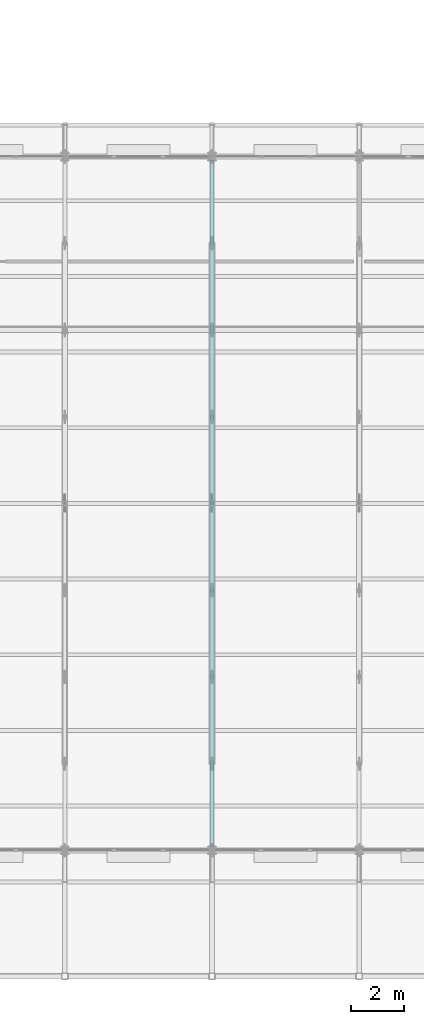
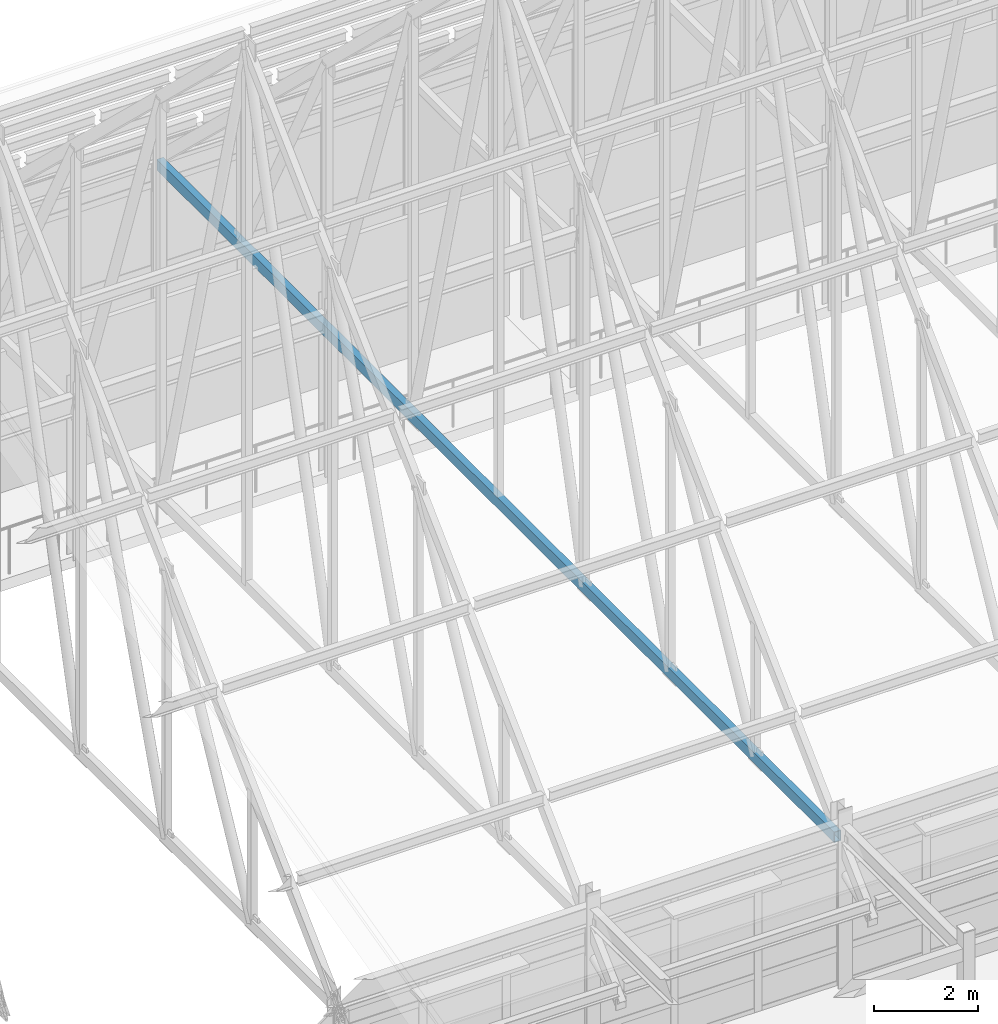
# One storey, part 35 of 144: 1 member.
"""IFC4 building model written with IfcOpenShell, lengths in metres."""

import ifcopenshell
import ifcopenshell.guid

model = None  # the IFC model being written
_history = None  # IfcOwnerHistory: only IFC2X3 demands one
_inside = {}  # id of a spatial element -> (the spatial element, [elements in it])
_under = {}  # id of a project, library or spatial element -> (it, [spatial elements below it])
_declared = {}  # id of a project -> (the project, [libraries it declares])
_typed = {}  # id of a type object -> (the type object, [elements of that type])
_made_of = {}  # id of a material, layer set ... -> (it, [elements and type objects made of it])


def new_model(schema):
    """Start an empty IFC model of exactly this schema.

    Asked for "IFC4X3", IfcOpenShell would pick the latest addendum, in which some entities
    have other attributes; the version numbers below select the first issue.
    IFC2X3 requires an IfcOwnerHistory on every rooted entity: one is made here for all.
    """
    global model, _history
    if schema == "IFC4X3":
        model = ifcopenshell.file(schema_version=(4, 3, 0, 0))
    else:
        model = ifcopenshell.file(schema=schema)
    _inside.clear()
    _under.clear()
    _declared.clear()
    _typed.clear()
    _made_of.clear()
    _history = None
    if model.schema == "IFC2X3":
        org = make("IfcOrganization", Name="unknown")
        user = make(
            "IfcPersonAndOrganization",
            ThePerson=make("IfcPerson", FamilyName="unknown"),
            TheOrganization=org,
        )
        app = make(
            "IfcApplication",
            ApplicationDeveloper=org,
            Version="unknown",
            ApplicationFullName="unknown",
            ApplicationIdentifier="unknown",
        )
        _history = make(
            "IfcOwnerHistory",
            OwningUser=user,
            OwningApplication=app,
            ChangeAction="ADDED",
            CreationDate=0,
        )
    return model


def make(cls, **values):
    """One entity of the class cls with the attributes given. An attribute that is None is left unset."""
    return model.create_entity(
        cls, **{name: value for name, value in values.items() if value is not None}
    )


def rooted(cls, **values):
    """An entity with a GlobalId (a new one), such as an element, a storey or a relation."""
    return make(cls, GlobalId=ifcopenshell.guid.new(), OwnerHistory=_history, **values)


def si_unit(unit_type, name, prefix=None):
    """IfcSIUnit, for example si_unit("LENGTHUNIT", "METRE", prefix="MILLI")."""
    return make("IfcSIUnit", UnitType=unit_type, Prefix=prefix, Name=name)


def assignment(units):
    """IfcUnitAssignment: the units of a project."""
    return None if units is None else make("IfcUnitAssignment", Units=units)


def point(xyz):
    """IfcCartesianPoint."""
    return None if xyz is None else make("IfcCartesianPoint", Coordinates=xyz)


def direction(xyz):
    """IfcDirection."""
    return None if xyz is None else make("IfcDirection", DirectionRatios=xyz)


def frame(location, z_axis=None, x_axis=None):
    """IfcAxis2Placement3D, a coordinate frame: its origin and axes. An axis left out is left unset."""
    return make(
        "IfcAxis2Placement3D",
        Location=point(location),
        Axis=direction(z_axis),
        RefDirection=direction(x_axis),
    )


def frame_2d(location, x_axis=None):
    """IfcAxis2Placement2D, a coordinate frame in the plane: its origin and x axis."""
    return make(
        "IfcAxis2Placement2D", Location=point(location), RefDirection=direction(x_axis)
    )


def origin():
    """The frame at (0, 0, 0) with its axes left unset."""
    return frame((0.0, 0.0, 0.0))


def origin_2d():
    """The frame at (0, 0) in the plane with its x axis left unset."""
    return frame_2d((0.0, 0.0))


def place(relative_to, where):
    """IfcLocalPlacement: puts the frame where relative to a parent placement (None: the world)."""
    return make(
        "IfcLocalPlacement", PlacementRelTo=relative_to, RelativePlacement=where
    )


def context(
    kind, dimensions, precision=None, world=None, true_north=None, identifier=None
):
    """IfcGeometricRepresentationContext, for example the 3D "Model" context."""
    return make(
        "IfcGeometricRepresentationContext",
        ContextIdentifier=identifier,
        ContextType=kind,
        CoordinateSpaceDimension=dimensions,
        Precision=precision,
        WorldCoordinateSystem=world,
        TrueNorth=true_north,
    )


def subcontext(parent, identifier, kind, view, scale=None):
    """IfcGeometricRepresentationSubContext, for example "Body" below "Model"."""
    return make(
        "IfcGeometricRepresentationSubContext",
        ContextIdentifier=identifier,
        ContextType=kind,
        ParentContext=parent,
        TargetScale=scale,
        TargetView=view,
    )


def project(units=None, contexts=None):
    """IfcProject with its units and contexts."""
    return rooted(
        "IfcProject",
        Name="project",
        RepresentationContexts=contexts,
        UnitsInContext=assignment(units),
    )


def spatial(cls, under=None, at=None, **own):
    """A site, building, storey or space (cls), placed at a placement, below another one or the project."""
    s = rooted(cls, ObjectPlacement=at, **own)
    if under is not None:
        _under.setdefault(under.id(), (under, []))[1].append(s)
    return s


def profile(cls, at=None, kind="AREA", **sizes):
    """A parametric profile (cls). Its sizes go by their IFC names, for example OverallWidth=200.0."""
    return make(cls, ProfileType=kind, Position=at, **sizes)


def hollow_rectangle(**sizes):
    """IfcRectangleHollowProfileDef."""
    return profile("IfcRectangleHollowProfileDef", **sizes)


def extrude(swept, where, along, depth):
    """IfcExtrudedAreaSolid: the profile swept, set in the frame where, extruded along a direction by depth."""
    return make(
        "IfcExtrudedAreaSolid",
        SweptArea=swept,
        Position=where,
        ExtrudedDirection=direction(along),
        Depth=depth,
    )


def shape(context_of_items, identifier, shape_type, items):
    """IfcShapeRepresentation: the items that make up one representation, for example the "Body"."""
    return make(
        "IfcShapeRepresentation",
        ContextOfItems=context_of_items,
        RepresentationIdentifier=identifier,
        RepresentationType=shape_type,
        Items=items,
    )


def material(Name=None, Category=None):
    """IfcMaterial."""
    return make("IfcMaterial", Name=Name, Category=Category)


def material_profile(
    of_material, cross_section, Name=None, Category=None, Priority=None
):
    """IfcMaterialProfile: a cross section and its material."""
    return make(
        "IfcMaterialProfile",
        Name=Name,
        Material=of_material,
        Profile=cross_section,
        Priority=Priority,
        Category=Category,
    )


def profile_set(profiles, Name=None, composite=None):
    """IfcMaterialProfileSet."""
    return make(
        "IfcMaterialProfileSet",
        Name=Name,
        MaterialProfiles=profiles,
        CompositeProfile=composite,
    )


def made_of(thing, what):
    """Note that an element or type object is made of a material, layer set ...; save() writes the relation."""
    if what is not None:
        _made_of.setdefault(what.id(), (what, []))[1].append(thing)
    return thing


def type_object(cls, material=None, **own):
    """A type object (cls), such as IfcWallType, which elements share."""
    return made_of(rooted(cls, **own), material)


def element(
    cls,
    number,
    at=None,
    inside=None,
    cuts=None,
    type_object=None,
    material=None,
    context=None,
    identifier="Body",
    shape_type=None,
    held_by="IfcProductDefinitionShape",
    body=None,
    shapes=None,
    **own,
):
    """One element of the class cls, such as IfcWall. Its Tag is "e" and its number.

    at: its placement. inside: the storey or other place that contains it. cuts: it is an
    opening in that element (IfcRelVoidsElement). A single representation is given by context,
    identifier, shape_type and body (its items); several are given by shapes. held_by: the class
    of the entity that holds the representations. save() writes the other relations.
    """
    e = rooted(cls, Tag="e%d" % number, ObjectPlacement=at, **own)
    if body is not None:
        shapes = [shape(context, identifier, shape_type, body)]
    if shapes is not None:
        e.Representation = make(held_by, Representations=shapes)
    if inside is not None:
        _inside.setdefault(inside.id(), (inside, []))[1].append(e)
    if cuts is not None:
        rooted(
            "IfcRelVoidsElement", RelatingBuildingElement=cuts, RelatedOpeningElement=e
        )
    if type_object is not None:
        _typed.setdefault(type_object.id(), (type_object, []))[1].append(e)
    return made_of(e, material)


def aggregate(whole, parts):
    """IfcRelAggregates: a whole, such as a stair, and the parts it consists of."""
    return rooted("IfcRelAggregates", RelatingObject=whole, RelatedObjects=parts)


def save(model, path):
    """Write the relations noted so far, then the file.

    IfcRelAggregates (storeys below a building ...), IfcRelContainedInSpatialStructure (elements
    in a storey), IfcRelDefinesByType, IfcRelAssociatesMaterial and IfcRelDeclares: one each for
    every whole, place, type object, material and project.
    """
    for whole, parts in _under.values():
        aggregate(whole, parts)
    for where, things in _inside.values():
        rooted(
            "IfcRelContainedInSpatialStructure",
            RelatedElements=things,
            RelatingStructure=where,
        )
    for kind, things in _typed.values():
        rooted("IfcRelDefinesByType", RelatedObjects=things, RelatingType=kind)
    for what, things in _made_of.values():
        rooted("IfcRelAssociatesMaterial", RelatedObjects=things, RelatingMaterial=what)
    for by, libraries in _declared.values():
        rooted("IfcRelDeclares", RelatingContext=by, RelatedDefinitions=libraries)
    model.write(path)


model = new_model("IFC4")

# Units and contexts
model_context = context("Model", 3, precision=1e-05, world=origin(), true_north=direction((0.0, 1.0)))
body_context = subcontext(model_context, "Body", "Model", "MODEL_VIEW")
ifc_project = project(units=[si_unit("LENGTHUNIT", "METRE"), si_unit("AREAUNIT", "SQUARE_METRE"), si_unit("VOLUMEUNIT", "CUBIC_METRE"), si_unit("PLANEANGLEUNIT", "RADIAN"), si_unit("MASSUNIT", "GRAM", prefix="KILO")], contexts=[model_context])

# Site, building, storey
site_placement = place(None, origin())
site = spatial("IfcSite", under=ifc_project, at=site_placement, CompositionType="ELEMENT")
building_placement = place(site_placement, origin())
building = spatial("IfcBuilding", under=site, at=building_placement, Name="Trelmorton Wharf Fire Station", CompositionType="ELEMENT")
storey_placement = place(building_placement, frame((0.0, 0.0, 5.39990234375)))
storey = spatial("IfcBuildingStorey", under=building, at=storey_placement, Name="L01", CompositionType="ELEMENT", Elevation=5.39990234375)

# Member
ifc_material = material(Name="Steel C350L0 (350 MPa)", Category="steel")
ifc_material_profile = material_profile(ifc_material, hollow_rectangle(XDim=0.14990234375, YDim=0.25, WallThickness=0.009033203125, at=origin_2d()), Name="250x150x9.0RHS")
ifc_profile_set = profile_set([ifc_material_profile], Name="Steel C350L0 (350 MPa)")
member_type = type_object("IfcMemberType", Name="TR_CHORD_250RHS", PredefinedType="CHORD", material=ifc_profile_set)
member_placement = place(storey_placement, frame((23.199951171875, 7.95361328125, 3.351806640625), z_axis=(0.0, 1.0, 0.0), x_axis=(-1.0, 0.0, 0.0)))
element("IfcMember", 1, at=member_placement, inside=storey, type_object=member_type, Name="V1-TR05-BC", PredefinedType="CHORD", context=body_context, shape_type="SweptSolid", body=[
    extrude(hollow_rectangle(XDim=0.14990234375, YDim=0.25, WallThickness=0.009033203125, at=origin_2d()), origin(), (0.0, 0.0, 1.0), 26.0927734375),
])

save(model, "model.ifc")
